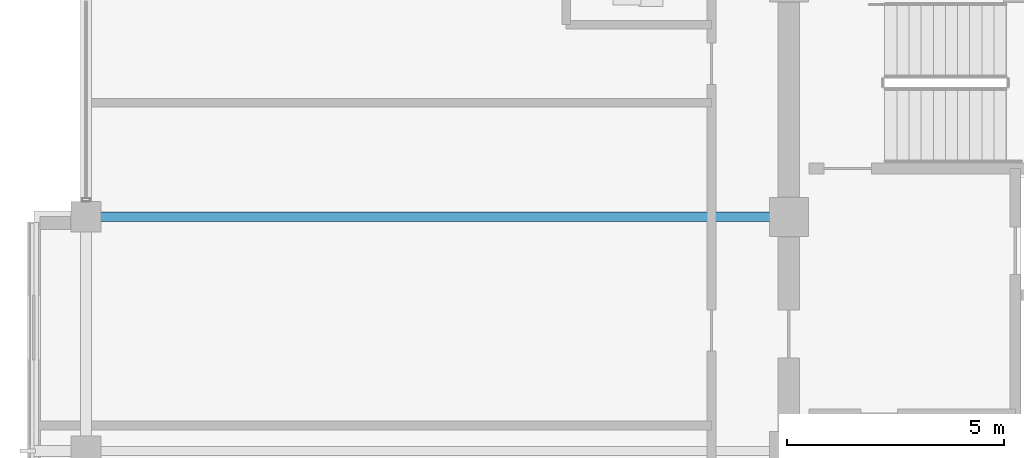
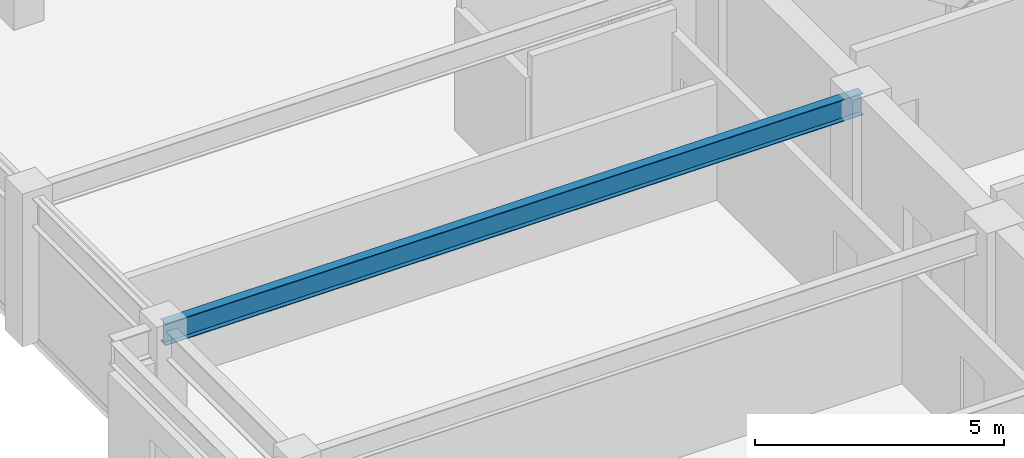
# One storey, part 9 of 29: 1 beam.
"""IFC4 building model written with IfcOpenShell, lengths in metres."""

from ifc_helpers import new_model, si_unit, direction, frame, origin, origin_2d, place, context, subcontext, project, spatial, i_section, extrude, material, material_profile, profile_set, type_object, element, save


model = new_model("IFC4")

# Units and contexts
model_context = context("Model", 3, precision=1e-05, world=origin(), true_north=direction((0.0, 1.0)))
body_context = subcontext(model_context, "Body", "Model", "MODEL_VIEW")
ifc_project = project(units=[si_unit("LENGTHUNIT", "METRE"), si_unit("AREAUNIT", "SQUARE_METRE"), si_unit("VOLUMEUNIT", "CUBIC_METRE"), si_unit("PLANEANGLEUNIT", "RADIAN"), si_unit("MASSUNIT", "GRAM", prefix="KILO")], contexts=[model_context])

# Site, building, storey
site_placement = place(None, origin())
site = spatial("IfcSite", under=ifc_project, at=site_placement, CompositionType="ELEMENT")
building_placement = place(site_placement, origin())
building = spatial("IfcBuilding", under=site, at=building_placement, Name="Surkhivell Harbour Commons", CompositionType="ELEMENT")
storey_placement = place(building_placement, frame((0.0, 0.0, 277.5)))
storey = spatial("IfcBuildingStorey", under=building, at=storey_placement, Name="L72", CompositionType="ELEMENT", Elevation=277.5)

# Beam
ifc_material = material(Name="Steel S355", Category="steel")
ifc_material_profile = material_profile(ifc_material, i_section(OverallWidth=0.2099609375, OverallDepth=0.537109375, WebThickness=0.0107421875, FlangeThickness=0.017333984375, at=origin_2d()), Name="UB533x210x101")
ifc_profile_set = profile_set([ifc_material_profile], Name="Steel S355")
beam_type = type_object("IfcBeamType", Name="BM-GRD-533B", PredefinedType="BEAM", material=ifc_profile_set)
beam_placement = place(storey_placement, frame((-27.0, 5.39990234375, 3.301513671875), z_axis=(1.0, 0.0, 0.0), x_axis=(0.0, 1.0, 0.0)))
element("IfcBeam", 1, at=beam_placement, inside=storey, type_object=beam_type, Name="L72 Floor Girder (-27.0,5.4)", PredefinedType="BEAM", context=body_context, shape_type="SweptSolid", body=[
    extrude(i_section(OverallWidth=0.2099609375, OverallDepth=0.537109375, WebThickness=0.0107421875, FlangeThickness=0.017333984375, at=origin_2d()), origin(), (0.0, 0.0, 1.0), 16.199951171875),
])

save(model, "model.ifc")
